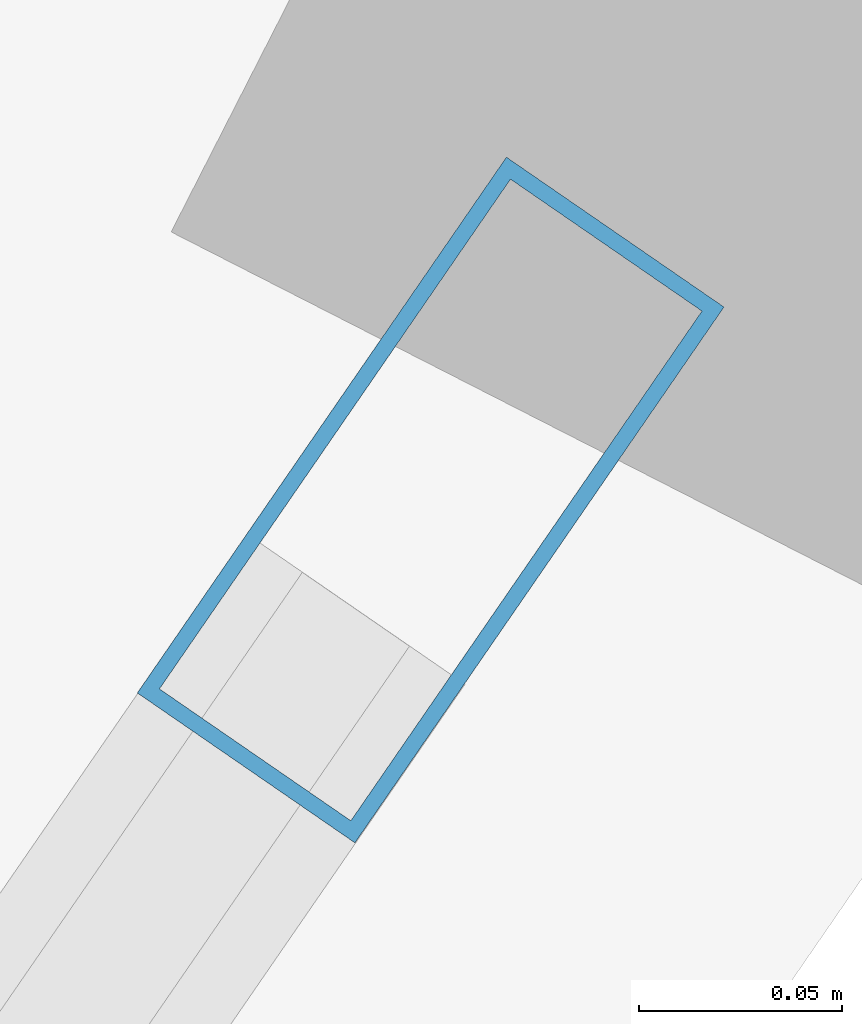
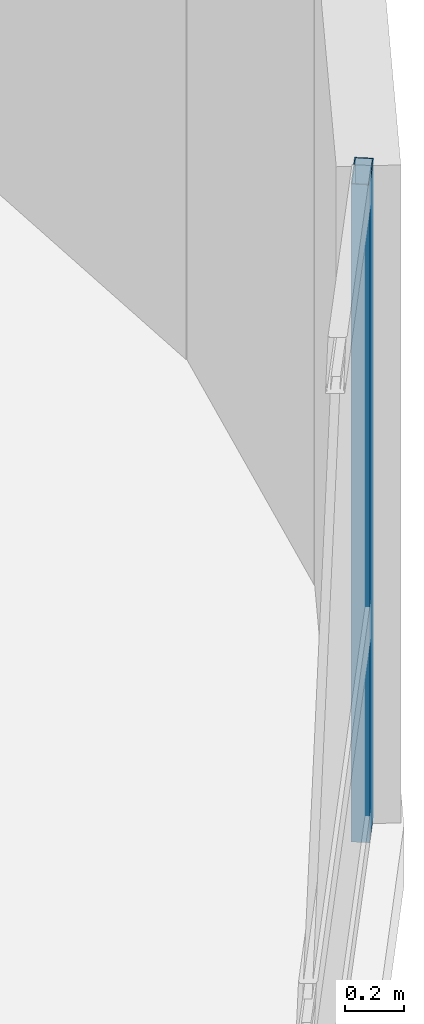
# One storey, part 11 of 24: 1 member, 1 element without a shape of its own.
"""IFC4 building model written with IfcOpenShell, lengths in metres."""

from ifc_helpers import new_model, si_unit, direction, frame, origin, origin_2d, place, context, subcontext, project, spatial, hollow_rectangle, extrude, material, layer, layer_set, material_profile, profile_set, type_object, element, aggregate, save


model = new_model("IFC4")

# Units and contexts
model_context = context("Model", 3, precision=1e-05, world=origin(), true_north=direction((0.0, 1.0)))
body_context = subcontext(model_context, "Body", "Model", "MODEL_VIEW")
ifc_project = project(units=[si_unit("LENGTHUNIT", "METRE"), si_unit("AREAUNIT", "SQUARE_METRE"), si_unit("VOLUMEUNIT", "CUBIC_METRE"), si_unit("PLANEANGLEUNIT", "RADIAN"), si_unit("MASSUNIT", "GRAM", prefix="KILO")], contexts=[model_context])

# Site, building, storey
site_placement = place(None, origin())
site = spatial("IfcSite", under=ifc_project, at=site_placement, CompositionType="ELEMENT")
building_placement = place(site_placement, origin())
building = spatial("IfcBuilding", under=site, at=building_placement, Name="Varnelok Gate Tower", CompositionType="ELEMENT")
storey_placement = place(building_placement, frame((0.0, 0.0, 38.10009765625)))
storey = spatial("IfcBuildingStorey", under=building, at=storey_placement, Name="L08", CompositionType="ELEMENT", Elevation=38.10009765625)

# Curtain wall, member
ifc_material = material(Name="Anodized Aluminum Alloy 6063-T6", Category="aluminium")
ifc_layer = layer(ifc_material, 0.179931640625)
ifc_layer_set = layer_set([ifc_layer], Name="Anodized Aluminum Alloy 6063-T6")
curtain_wall_type = type_object("IfcCurtainWallType", Name="CW3-HOTEL-VISION", PredefinedType="USERDEFINED", material=ifc_layer_set)
curtain_wall_placement = place(storey_placement, origin())
curtain_wall = element("IfcCurtainWall", 1, at=curtain_wall_placement, inside=storey, type_object=curtain_wall_type, Name="L08 East End Vision Curtain Wall", ObjectType="UNITISED CURTAIN WALL", PredefinedType="USERDEFINED")
ifc_material_profile = material_profile(ifc_material, hollow_rectangle(XDim=0.06494140625, YDim=0.159912109375, WallThickness=0.00390625, at=origin_2d()), Name="ALU160X65X4")
ifc_profile_set = profile_set([ifc_material_profile], Name="Anodized Aluminum Alloy 6063-T6")
member_type = type_object("IfcMemberType", Name="CW-MULL-160", PredefinedType="MULLION", material=ifc_profile_set)
member_placement = place(storey_placement, frame((82.52392578125, 19.33935546875, 0.0), z_axis=(0.0, 0.0, 1.0), x_axis=(0.823532685111, -0.567268822124, 0.0)))
member = element("IfcMember", 2, at=member_placement, type_object=member_type, Name="CW3 mullion 1", PredefinedType="MULLION", context=body_context, shape_type="SweptSolid", body=[
    extrude(hollow_rectangle(XDim=0.06494140625, YDim=0.159912109375, WallThickness=0.00390625, at=origin_2d()), origin(), (0.0, 0.0, 1.0), 2.72998046875),
])
aggregate(curtain_wall, [member])

save(model, "model.ifc")
